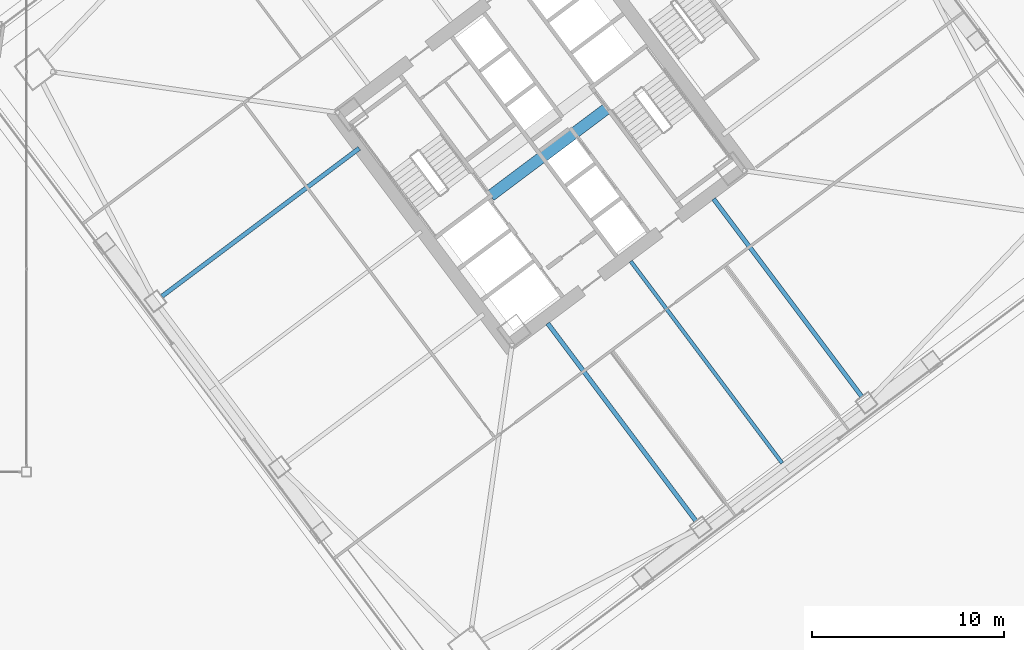
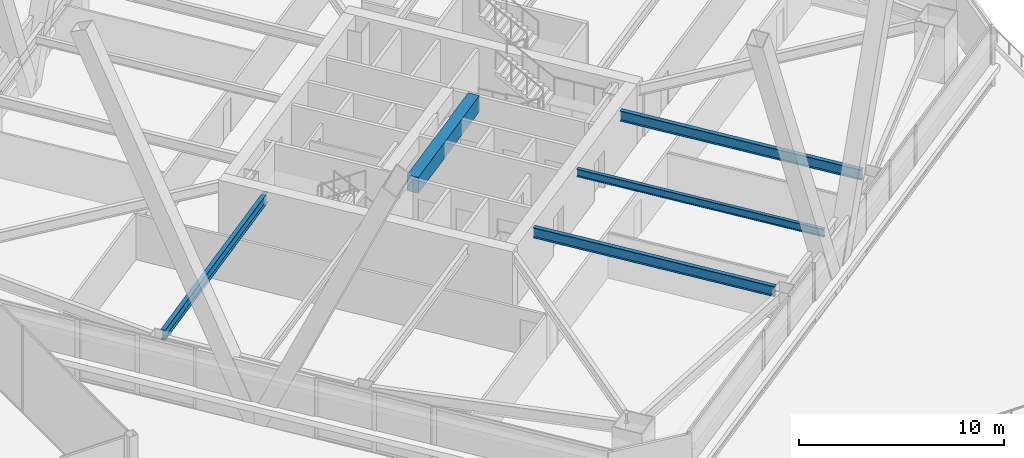
# One storey, part 39 of 83: 5 beams.
"""IFC4 building model written with IfcOpenShell, lengths in metres."""

from ifc_helpers import new_model, si_unit, direction, frame, origin, origin_2d, place, context, subcontext, project, spatial, rectangle, i_section, extrude, material, material_profile, profile_set, type_object, element, save


model = new_model("IFC4")

# Units and contexts
model_context = context("Model", 3, precision=1e-05, world=origin(), true_north=direction((0.0, 1.0)))
body_context = subcontext(model_context, "Body", "Model", "MODEL_VIEW")
ifc_project = project(units=[si_unit("LENGTHUNIT", "METRE"), si_unit("AREAUNIT", "SQUARE_METRE"), si_unit("VOLUMEUNIT", "CUBIC_METRE"), si_unit("PLANEANGLEUNIT", "RADIAN"), si_unit("MASSUNIT", "GRAM", prefix="KILO")], contexts=[model_context])

# Site, building, storey
site_placement = place(None, origin())
site = spatial("IfcSite", under=ifc_project, at=site_placement, CompositionType="ELEMENT")
building_placement = place(site_placement, origin())
building = spatial("IfcBuilding", under=site, at=building_placement, Name="Tashvorn Skyway Center", CompositionType="ELEMENT")
storey_placement = place(building_placement, frame((0.0, 0.0, 24.60009765625)))
storey = spatial("IfcBuildingStorey", under=building, at=storey_placement, Name="L05", CompositionType="ELEMENT", Elevation=24.60009765625)

# Beams
ifc_material_1 = material(Name="Steel ASTM A992 Grade 50", Category="steel")
ifc_material_profile_1 = material_profile(ifc_material_1, i_section(OverallWidth=0.22998046875, OverallDepth=0.616943359375, WebThickness=0.01318359375, FlangeThickness=0.022216796875, at=origin_2d()), Name="W24X94")
ifc_profile_set_1 = profile_set([ifc_material_profile_1], Name="Steel ASTM A992 Grade 50")
beam_type_1 = type_object("IfcBeamType", Name="BM-BEAM-W24X94", PredefinedType="BEAM", material=ifc_profile_set_1)
beam_1_placement = place(storey_placement, frame((122.05810546875, 12.256103515625, 3.04150390625), z_axis=(-0.600018239213, 0.799986320265, 0.0), x_axis=(-0.799986320265, -0.600018239213, 0.0)))
element("IfcBeam", 1, at=beam_1_placement, inside=storey, type_object=beam_type_1, Name="Tower 2 L05 Primary Floor Girder FC-S1", PredefinedType="BEAM", context=body_context, shape_type="SweptSolid", body=[
    extrude(i_section(OverallWidth=0.22998046875, OverallDepth=0.616943359375, WebThickness=0.01318359375, FlangeThickness=0.022216796875, at=origin_2d()), origin(), (0.0, 0.0, 1.0), 12.849853515625),
])
beam_2_placement = place(storey_placement, frame((130.697998046875, 18.736083984375, 3.04150390625), z_axis=(-0.599996960112, 0.800002279907, 0.0), x_axis=(-0.800002279907, -0.599996960112, 0.0)))
element("IfcBeam", 2, at=beam_2_placement, inside=storey, type_object=beam_type_1, Name="Tower 2 L05 Primary Floor Girder FC-S2", PredefinedType="BEAM", context=body_context, shape_type="SweptSolid", body=[
    extrude(i_section(OverallWidth=0.22998046875, OverallDepth=0.616943359375, WebThickness=0.01318359375, FlangeThickness=0.022216796875, at=origin_2d()), origin(), (0.0, 0.0, 1.0), 12.85009765625),
])
beam_3_placement = place(storey_placement, frame((94.256103515625, 23.94189453125, 3.04150390625), z_axis=(0.799986320265, 0.600018239213, 0.0), x_axis=(-0.600018239213, 0.799986320265, 0.0)))
element("IfcBeam", 3, at=beam_3_placement, inside=storey, type_object=beam_type_1, Name="Tower 2 L05 Primary Floor Girder FC-W1", PredefinedType="BEAM", context=body_context, shape_type="SweptSolid", body=[
    extrude(i_section(OverallWidth=0.22998046875, OverallDepth=0.616943359375, WebThickness=0.01318359375, FlangeThickness=0.022216796875, at=origin_2d()), origin(), (0.0, 0.0, 1.0), 12.849853515625),
])
ifc_material_profile_2 = material_profile(ifc_material_1, i_section(OverallWidth=0.19091796875, OverallDepth=0.4599609375, WebThickness=0.010009765625, FlangeThickness=0.01611328125, at=origin_2d()), Name="W18X55")
ifc_profile_set_2 = profile_set([ifc_material_profile_2], Name="Steel ASTM A992 Grade 50")
beam_type_2 = type_object("IfcBeamType", Name="BM-JOIST-W18X55", PredefinedType="JOIST", material=ifc_profile_set_2)
beam_4_placement = place(storey_placement, frame((118.674072265625, 25.76806640625, 3.119873046875), z_axis=(0.600002972791, -0.799997770398, 0.0), x_axis=(0.799997770398, 0.600002972791, 0.0)))
element("IfcBeam", 4, at=beam_4_placement, inside=storey, type_object=beam_type_2, Name="Tower 2 L05 Secondary Composite Joist JS", PredefinedType="JOIST", context=body_context, shape_type="SweptSolid", body=[
    extrude(i_section(OverallWidth=0.19091796875, OverallDepth=0.4599609375, WebThickness=0.010009765625, FlangeThickness=0.01611328125, at=origin_2d()), origin(), (0.0, 0.0, 1.0), 13.139892578125),
])
ifc_material_2 = material(Name="Concrete C60/75", Category="concrete")
ifc_material_profile_3 = material_profile(ifc_material_2, rectangle(XDim=0.60009765625, YDim=0.949951171875, at=origin_2d()), Name="RCB600x950")
ifc_profile_set_3 = profile_set([ifc_material_profile_3], Name="Concrete C60/75")
beam_type_3 = type_object("IfcBeamType", Name="BM-LINTEL-RCB600x950", PredefinedType="LINTEL", material=ifc_profile_set_3)
beam_5_placement = place(storey_placement, frame((111.367919921875, 29.176025390625, 2.875), z_axis=(0.8, 0.6, 0.0), x_axis=(-0.6, 0.8, 0.0)))
element("IfcBeam", 5, at=beam_5_placement, inside=storey, type_object=beam_type_3, Name="Tower 2 L05 Core Coupling Beam CS", PredefinedType="LINTEL", context=body_context, shape_type="SweptSolid", body=[
    extrude(rectangle(XDim=0.60009765625, YDim=0.949951171875, at=origin_2d()), origin(), (0.0, 0.0, 1.0), 7.60009765625),
])

save(model, "model.ifc")
